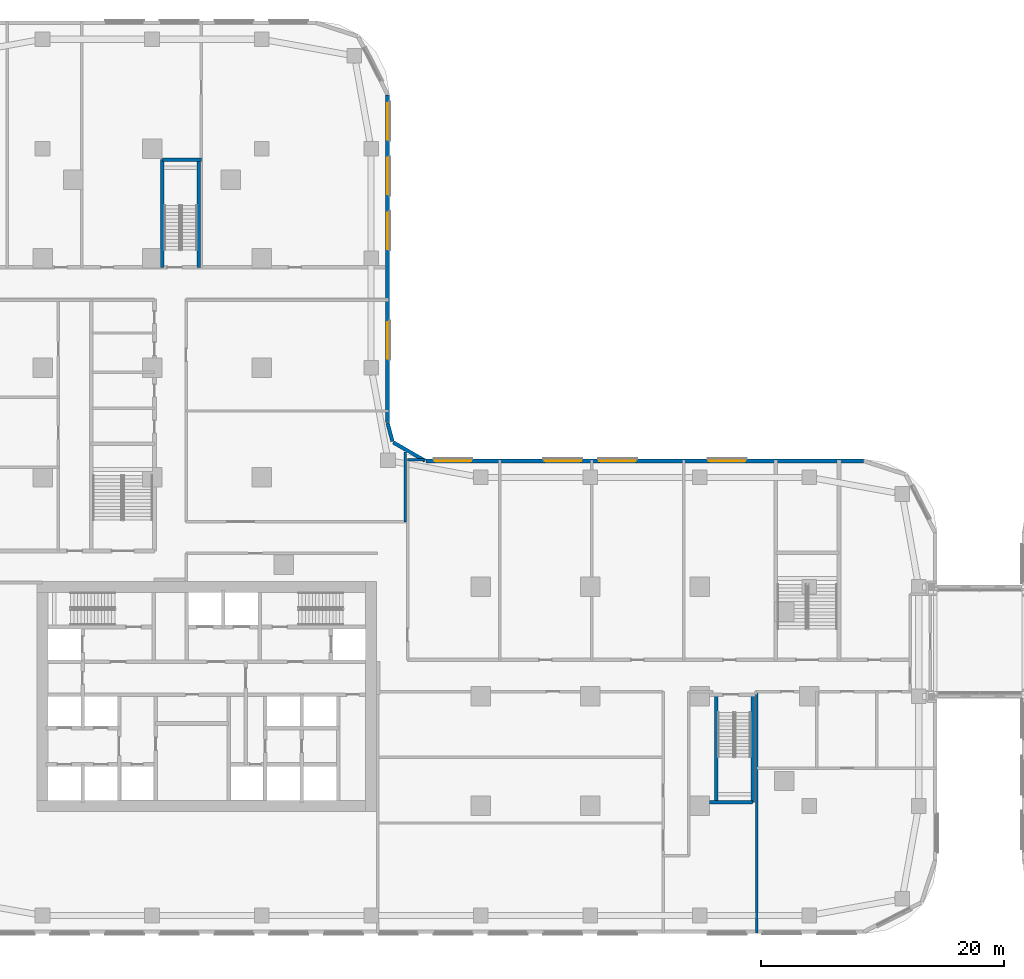
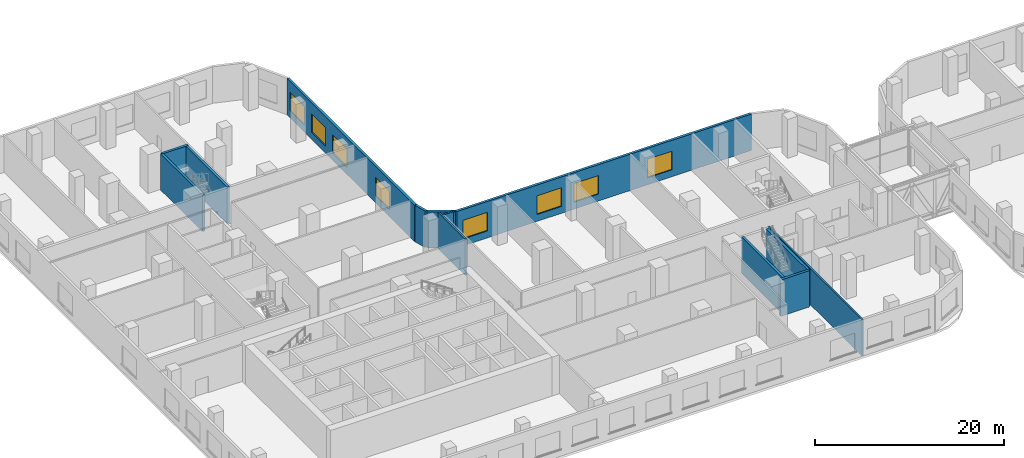
# One storey, part 10 of 35: 13 walls, 8 windows, 8 openings.
"""IFC4 building model written with IfcOpenShell, lengths in metres."""

from ifc_helpers import new_model, si_unit, direction, frame, frame_2d, origin, place, context, subcontext, project, spatial, rectangle, extrude, material, layer, layer_set, type_object, element, fill, save


model = new_model("IFC4")

# Units and contexts
model_context = context("Model", 3, precision=1e-05, world=origin(), true_north=direction((0.0, 1.0)))
body_context = subcontext(model_context, "Body", "Model", "MODEL_VIEW")
ifc_project = project(units=[si_unit("LENGTHUNIT", "METRE"), si_unit("AREAUNIT", "SQUARE_METRE"), si_unit("VOLUMEUNIT", "CUBIC_METRE"), si_unit("PLANEANGLEUNIT", "RADIAN"), si_unit("MASSUNIT", "GRAM", prefix="KILO")], contexts=[model_context])

# Site, building, storey
site_placement = place(None, origin())
site = spatial("IfcSite", under=ifc_project, at=site_placement, CompositionType="ELEMENT")
building_placement = place(site_placement, origin())
building = spatial("IfcBuilding", under=site, at=building_placement, Name="Ogive Portal Towers", CompositionType="ELEMENT")
storey_placement = place(building_placement, frame((0.0, 0.0, 18.5)))
storey = spatial("IfcBuildingStorey", under=building, at=storey_placement, Name="L03", CompositionType="ELEMENT", Elevation=18.5)

# Wall, openings, windows
ifc_material_1 = material(Name="Limestone cladding on lightweight block wall", Category="masonry")
ifc_layer_1 = layer(ifc_material_1, 0.300048828125)
ifc_layer_set_1 = layer_set([ifc_layer_1], Name="EXTERNAL WALL 300 STONE")
wall_type_1 = type_object("IfcWallType", Name="EXTERNAL WALL 300 STONE", PredefinedType="SOLIDWALL", material=ifc_layer_set_1)
wall_1_placement = place(storey_placement, frame((98.952392578125, 49.85009765625, 0.0), z_axis=(0.0, 0.0, 1.0), x_axis=(-1.0, 0.0, 0.0)))
wall_1 = element("IfcWall", 1, at=wall_1_placement, inside=storey, type_object=wall_type_1, Name="A:L03:f08:w0", PredefinedType="SOLIDWALL", context=body_context, shape_type="SweptSolid", body=[
    extrude(rectangle(XDim=35.952392578125, YDim=0.300048828125, at=frame_2d((17.97607421875, 0.0))), origin(), (0.0, 0.0, 1.0), 4.699951171875),
])
opening_1_placement = place(wall_1_placement, frame((9.702392578125, 0.0, 0.89990234375)))
opening_1 = element("IfcOpeningElement", 2, at=opening_1_placement, cuts=wall_1, Name="Opening WN3", PredefinedType="OPENING", context=body_context, shape_type="SweptSolid", body=[
    extrude(rectangle(XDim=3.0, YDim=2.39990234375, at=frame_2d((1.5, 1.199951171875))), frame((0.0, 0.16015625, 0.0), z_axis=(0.0, -1.0, 0.0), x_axis=(1.0, 0.0, 0.0)), (0.0, 0.0, 1.0), 0.320068359375),
])
opening_2_placement = place(wall_1_placement, frame((18.702392578125, 0.0, 0.89990234375)))
opening_2 = element("IfcOpeningElement", 3, at=opening_2_placement, cuts=wall_1, Name="Opening WN3", PredefinedType="OPENING", context=body_context, shape_type="SweptSolid", body=[
    extrude(rectangle(XDim=3.0, YDim=2.39990234375, at=frame_2d((1.5, 1.199951171875))), frame((0.0, 0.16015625, 0.0), z_axis=(0.0, -1.0, 0.0), x_axis=(1.0, 0.0, 0.0)), (0.0, 0.0, 1.0), 0.320068359375),
])
opening_3_placement = place(wall_1_placement, frame((23.202392578125, 0.0, 0.89990234375)))
opening_3 = element("IfcOpeningElement", 4, at=opening_3_placement, cuts=wall_1, Name="Opening WN3", PredefinedType="OPENING", context=body_context, shape_type="SweptSolid", body=[
    extrude(rectangle(XDim=3.0, YDim=2.39990234375, at=frame_2d((1.5, 1.199951171875))), frame((0.0, 0.16015625, 0.0), z_axis=(0.0, -1.0, 0.0), x_axis=(1.0, 0.0, 0.0)), (0.0, 0.0, 1.0), 0.320068359375),
])
opening_4_placement = place(wall_1_placement, frame((32.226318359375, 0.0, 0.89990234375)))
opening_4 = element("IfcOpeningElement", 5, at=opening_4_placement, cuts=wall_1, Name="Opening WN3", PredefinedType="OPENING", context=body_context, shape_type="SweptSolid", body=[
    extrude(rectangle(XDim=3.0, YDim=2.39990234375, at=frame_2d((1.5, 1.199951171875))), frame((0.0, 0.16015625, 0.0), z_axis=(0.0, -1.0, 0.0), x_axis=(1.0, 0.0, 0.0)), (0.0, 0.0, 1.0), 0.320068359375),
])
ifc_material_2 = material(Name="Glass, clear low-iron insulated glazing", Category="glass")
window_type = type_object("IfcWindowType", Name="WINDOW PODIUM 3000x2400", PartitioningType="SINGLE_PANEL", PredefinedType="WINDOW", material=ifc_material_2)
window_1_placement = place(opening_1_placement, origin())
window_1 = element("IfcWindow", 6, at=window_1_placement, inside=storey, type_object=window_type, Name="A:L03:f08:w0:o1b", OverallHeight=2.39990234375, OverallWidth=3.0, PartitioningType="SINGLE_PANEL", PredefinedType="WINDOW", context=body_context, shape_type="SweptSolid", body=[
    extrude(rectangle(XDim=3.0, YDim=2.39990234375, at=frame_2d((1.5, 1.199951171875))), frame((0.0, 0.030029296875, 0.0), z_axis=(0.0, -1.0, 0.0), x_axis=(1.0, 0.0, 0.0)), (0.0, 0.0, 1.0), 0.06005859375),
])
fill(opening_1, window_1)
window_2_placement = place(opening_2_placement, origin())
window_2 = element("IfcWindow", 7, at=window_2_placement, inside=storey, type_object=window_type, Name="A:L03:f08:w0:o2b", OverallHeight=2.39990234375, OverallWidth=3.0, PartitioningType="SINGLE_PANEL", PredefinedType="WINDOW", context=body_context, shape_type="SweptSolid", body=[
    extrude(rectangle(XDim=3.0, YDim=2.39990234375, at=frame_2d((1.5, 1.199951171875))), frame((0.0, 0.030029296875, 0.0), z_axis=(0.0, -1.0, 0.0), x_axis=(1.0, 0.0, 0.0)), (0.0, 0.0, 1.0), 0.06005859375),
])
fill(opening_2, window_2)
window_3_placement = place(opening_3_placement, origin())
window_3 = element("IfcWindow", 8, at=window_3_placement, inside=storey, type_object=window_type, Name="A:L03:f08:w0:o3a", OverallHeight=2.39990234375, OverallWidth=3.0, PartitioningType="SINGLE_PANEL", PredefinedType="WINDOW", context=body_context, shape_type="SweptSolid", body=[
    extrude(rectangle(XDim=3.0, YDim=2.39990234375, at=frame_2d((1.5, 1.199951171875))), frame((0.0, 0.030029296875, 0.0), z_axis=(0.0, -1.0, 0.0), x_axis=(1.0, 0.0, 0.0)), (0.0, 0.0, 1.0), 0.06005859375),
])
fill(opening_3, window_3)
window_4_placement = place(opening_4_placement, origin())
window_4 = element("IfcWindow", 9, at=window_4_placement, inside=storey, type_object=window_type, Name="A:L03:f08:w0:o4", OverallHeight=2.39990234375, OverallWidth=3.0, PartitioningType="SINGLE_PANEL", PredefinedType="WINDOW", context=body_context, shape_type="SweptSolid", body=[
    extrude(rectangle(XDim=3.0, YDim=2.39990234375, at=frame_2d((1.5, 1.199951171875))), frame((0.0, 0.030029296875, 0.0), z_axis=(0.0, -1.0, 0.0), x_axis=(1.0, 0.0, 0.0)), (0.0, 0.0, 1.0), 0.06005859375),
])
fill(opening_4, window_4)

# Walls
wall_2_placement = place(storey_placement, frame((62.925048828125, 49.8701171875, 0.0), z_axis=(0.0, 0.0, 1.0), x_axis=(-0.866031096941, 0.499990139034, 0.0)))
element("IfcWall", 10, at=wall_2_placement, inside=storey, type_object=wall_type_1, Name="A:L03:f09:w0", PredefinedType="SOLIDWALL", context=body_context, shape_type="SweptSolid", body=[
    extrude(rectangle(XDim=3.0, YDim=0.300048828125, at=frame_2d((1.5, 0.0))), origin(), (0.0, 0.0, 1.0), 4.699951171875),
])
wall_3_placement = place(storey_placement, frame((60.257080078125, 51.461181640625, 0.0), z_axis=(0.0, 0.0, 1.0), x_axis=(-0.258777996848, 0.965936824201, 0.0)))
element("IfcWall", 11, at=wall_3_placement, inside=storey, type_object=wall_type_1, Name="A:L03:f10:w0", PredefinedType="SOLIDWALL", context=body_context, shape_type="SweptSolid", body=[
    extrude(rectangle(XDim=1.552978515625, YDim=0.300048828125, at=frame_2d((0.7763671875, 0.0))), origin(), (0.0, 0.0, 1.0), 4.699951171875),
])

# Wall, openings, windows
wall_4_placement = place(storey_placement, frame((59.85009765625, 53.0, 0.0), z_axis=(0.0, 0.0, 1.0), x_axis=(0.0, 1.0, 0.0)))
wall_4 = element("IfcWall", 12, at=wall_4_placement, inside=storey, type_object=wall_type_1, Name="A:L03:f11:w0", PredefinedType="SOLIDWALL", context=body_context, shape_type="SweptSolid", body=[
    extrude(rectangle(XDim=26.927978515625, YDim=0.300048828125, at=frame_2d((13.4638671875, 0.0))), origin(), (0.0, 0.0, 1.0), 4.699951171875),
])
opening_5_placement = place(wall_4_placement, frame((5.25, 0.0, 0.89990234375)))
opening_5 = element("IfcOpeningElement", 13, at=opening_5_placement, cuts=wall_4, Name="Opening WN3", PredefinedType="OPENING", context=body_context, shape_type="SweptSolid", body=[
    extrude(rectangle(XDim=3.0, YDim=2.39990234375, at=frame_2d((1.5, 1.199951171875))), frame((0.0, 0.16015625, 0.0), z_axis=(0.0, -1.0, 0.0), x_axis=(1.0, 0.0, 0.0)), (0.0, 0.0, 1.0), 0.320068359375),
])
opening_6_placement = place(wall_4_placement, frame((14.25, 0.0, 0.89990234375)))
opening_6 = element("IfcOpeningElement", 14, at=opening_6_placement, cuts=wall_4, Name="Opening WN3", PredefinedType="OPENING", context=body_context, shape_type="SweptSolid", body=[
    extrude(rectangle(XDim=3.0, YDim=2.39990234375, at=frame_2d((1.5, 1.199951171875))), frame((0.0, 0.16015625, 0.0), z_axis=(0.0, -1.0, 0.0), x_axis=(1.0, 0.0, 0.0)), (0.0, 0.0, 1.0), 0.320068359375),
])
opening_7_placement = place(wall_4_placement, frame((18.75, 0.0, 0.89990234375)))
opening_7 = element("IfcOpeningElement", 15, at=opening_7_placement, cuts=wall_4, Name="Opening WN3", PredefinedType="OPENING", context=body_context, shape_type="SweptSolid", body=[
    extrude(rectangle(XDim=3.0, YDim=2.39990234375, at=frame_2d((1.5, 1.199951171875))), frame((0.0, 0.16015625, 0.0), z_axis=(0.0, -1.0, 0.0), x_axis=(1.0, 0.0, 0.0)), (0.0, 0.0, 1.0), 0.320068359375),
])
opening_8_placement = place(wall_4_placement, frame((23.25, 0.0, 0.89990234375)))
opening_8 = element("IfcOpeningElement", 16, at=opening_8_placement, cuts=wall_4, Name="Opening WN3", PredefinedType="OPENING", context=body_context, shape_type="SweptSolid", body=[
    extrude(rectangle(XDim=3.0, YDim=2.39990234375, at=frame_2d((1.5, 1.199951171875))), frame((0.0, 0.16015625, 0.0), z_axis=(0.0, -1.0, 0.0), x_axis=(1.0, 0.0, 0.0)), (0.0, 0.0, 1.0), 0.320068359375),
])
window_5_placement = place(opening_5_placement, origin())
window_5 = element("IfcWindow", 17, at=window_5_placement, inside=storey, type_object=window_type, Name="A:L03:f11:w0:o1a", OverallHeight=2.39990234375, OverallWidth=3.0, PartitioningType="SINGLE_PANEL", PredefinedType="WINDOW", context=body_context, shape_type="SweptSolid", body=[
    extrude(rectangle(XDim=3.0, YDim=2.39990234375, at=frame_2d((1.5, 1.199951171875))), frame((0.0, 0.030029296875, 0.0), z_axis=(0.0, -1.0, 0.0), x_axis=(1.0, 0.0, 0.0)), (0.0, 0.0, 1.0), 0.06005859375),
])
fill(opening_5, window_5)
window_6_placement = place(opening_6_placement, origin())
window_6 = element("IfcWindow", 18, at=window_6_placement, inside=storey, type_object=window_type, Name="A:L03:f11:w0:o2a", OverallHeight=2.39990234375, OverallWidth=3.0, PartitioningType="SINGLE_PANEL", PredefinedType="WINDOW", context=body_context, shape_type="SweptSolid", body=[
    extrude(rectangle(XDim=3.0, YDim=2.39990234375, at=frame_2d((1.5, 1.199951171875))), frame((0.0, 0.030029296875, 0.0), z_axis=(0.0, -1.0, 0.0), x_axis=(1.0, 0.0, 0.0)), (0.0, 0.0, 1.0), 0.06005859375),
])
fill(opening_6, window_6)
window_7_placement = place(opening_7_placement, origin())
window_7 = element("IfcWindow", 19, at=window_7_placement, inside=storey, type_object=window_type, Name="A:L03:f11:w0:o2b", OverallHeight=2.39990234375, OverallWidth=3.0, PartitioningType="SINGLE_PANEL", PredefinedType="WINDOW", context=body_context, shape_type="SweptSolid", body=[
    extrude(rectangle(XDim=3.0, YDim=2.39990234375, at=frame_2d((1.5, 1.199951171875))), frame((0.0, 0.030029296875, 0.0), z_axis=(0.0, -1.0, 0.0), x_axis=(1.0, 0.0, 0.0)), (0.0, 0.0, 1.0), 0.06005859375),
])
fill(opening_7, window_7)
window_8_placement = place(opening_8_placement, origin())
window_8 = element("IfcWindow", 20, at=window_8_placement, inside=storey, type_object=window_type, Name="A:L03:f11:w0:o3", OverallHeight=2.39990234375, OverallWidth=3.0, PartitioningType="SINGLE_PANEL", PredefinedType="WINDOW", context=body_context, shape_type="SweptSolid", body=[
    extrude(rectangle(XDim=3.0, YDim=2.39990234375, at=frame_2d((1.5, 1.199951171875))), frame((0.0, 0.030029296875, 0.0), z_axis=(0.0, -1.0, 0.0), x_axis=(1.0, 0.0, 0.0)), (0.0, 0.0, 1.0), 0.06005859375),
])
fill(opening_8, window_8)

# Walls
ifc_material_3 = material(Name="Concrete C50/60", Category="concrete")
ifc_layer_2 = layer(ifc_material_3, 0.300048828125)
ifc_layer_set_2 = layer_set([ifc_layer_2], Name="STAIR WALL 300 C50")
wall_type_2 = type_object("IfcWallType", Name="STAIR WALL 300 C50", PredefinedType="SHEAR", material=ifc_layer_set_2)
wall_5_placement = place(storey_placement, frame((86.300048828125, 21.800048828125, 0.0), z_axis=(0.0, 0.0, 1.0), x_axis=(1.0, 0.0, 0.0)))
element("IfcWall", 21, at=wall_5_placement, inside=storey, type_object=wall_type_2, Name="Stair wall ST-A4 L03", PredefinedType="SHEAR", context=body_context, shape_type="SweptSolid", body=[
    extrude(rectangle(XDim=3.550048828125, YDim=0.300048828125, at=frame_2d((1.77490234375, 0.0))), origin(), (0.0, 0.0, 1.0), 4.699951171875),
])
wall_6_placement = place(storey_placement, frame((41.35009765625, 74.60009765625, 0.0), z_axis=(0.0, 0.0, 1.0), x_axis=(1.0, 0.0, 0.0)))
element("IfcWall", 22, at=wall_6_placement, inside=storey, type_object=wall_type_2, Name="Stair wall ST-A3 L03", PredefinedType="SHEAR", context=body_context, shape_type="SweptSolid", body=[
    extrude(rectangle(XDim=3.199951171875, YDim=0.300048828125, at=frame_2d((1.60009765625, 0.0))), origin(), (0.0, 0.0, 1.0), 4.699951171875),
])
for number, where, z_axis, x_axis, name in (
    (23, (41.35009765625, 65.75, 0.0), (0.0, 0.0, 1.0), (0.0, 1.0, 0.0), "Stair wall ST-A3 L03"),
    (24, (44.35009765625, 65.75, 0.0), (0.0, 0.0, 1.0), (0.0, 1.0, 0.0), "Stair wall ST-A3 L03"),
):
    element("IfcWall", number, at=place(storey_placement, frame(where, z_axis=z_axis, x_axis=x_axis)), inside=storey, type_object=wall_type_2, Name=name, PredefinedType="SHEAR", context=body_context, shape_type="SweptSolid", body=[
        extrude(rectangle(XDim=8.85009765625, YDim=0.300048828125, at=frame_2d((4.425048828125, 0.0))), origin(), (0.0, 0.0, 1.0), 4.699951171875),
    ])
for number, where, z_axis, x_axis, name in (
    (25, (86.85009765625, 21.800048828125, 0.0), (0.0, 0.0, 1.0), (0.0, 1.0, 0.0), "Stair wall ST-A4 L03"),
    (26, (89.85009765625, 21.800048828125, 0.0), (0.0, 0.0, 1.0), (0.0, 1.0, 0.0), "Stair wall ST-A4 L03"),
):
    element("IfcWall", number, at=place(storey_placement, frame(where, z_axis=z_axis, x_axis=x_axis)), inside=storey, type_object=wall_type_2, Name=name, PredefinedType="SHEAR", context=body_context, shape_type="SweptSolid", body=[
        extrude(rectangle(XDim=8.849853515625, YDim=0.300048828125, at=frame_2d((4.4248046875, 0.0))), origin(), (0.0, 0.0, 1.0), 4.699951171875),
    ])
ifc_material_4 = material(Name="Gypsum board partition on steel studs", Category="steel")
ifc_layer_3 = layer(ifc_material_4, 0.199951171875)
ifc_layer_set_3 = layer_set([ifc_layer_3], Name="WT-PART-200-EI 60")
wall_type_3 = type_object("IfcWallType", Name="WT-PART-200-EI 60", PredefinedType="PARTITIONING", material=ifc_layer_set_3)
wall_7_placement = place(storey_placement, frame((61.5, 49.949951171875, 0.0), z_axis=(0.0, 0.0, 1.0), x_axis=(1.0, 0.0, 0.0)))
element("IfcWall", 27, at=wall_7_placement, inside=storey, type_object=wall_type_3, Name="Wall L03:w043", PredefinedType="PARTITIONING", context=body_context, shape_type="SweptSolid", body=[
    extrude(rectangle(XDim=1.416015625, YDim=0.199951171875, at=frame_2d((0.7080078125, 0.0))), origin(), (0.0, 0.0, 1.0), 4.699951171875),
])
wall_8_placement = place(storey_placement, frame((61.300048828125, 44.85009765625, 0.0), z_axis=(0.0, 0.0, 1.0), x_axis=(0.0, 1.0, 0.0)))
element("IfcWall", 28, at=wall_8_placement, inside=storey, type_object=wall_type_3, Name="Wall L03:w095", PredefinedType="PARTITIONING", context=body_context, shape_type="SweptSolid", body=[
    extrude(rectangle(XDim=5.741943359375, YDim=0.199951171875, at=frame_2d((2.87109375, 0.0))), origin(), (0.0, 0.0, 1.0), 4.699951171875),
])
wall_9_placement = place(storey_placement, frame((90.199951171875, 11.070068359375, 0.0), z_axis=(0.0, 0.0, 1.0), x_axis=(0.0, 1.0, 0.0)))
element("IfcWall", 29, at=wall_9_placement, inside=storey, type_object=wall_type_3, Name="Wall L03:w106", PredefinedType="PARTITIONING", context=body_context, shape_type="SweptSolid", body=[
    extrude(rectangle(XDim=19.829833984375, YDim=0.199951171875, at=frame_2d((9.9150390625, 0.0))), origin(), (0.0, 0.0, 1.0), 4.699951171875),
])

save(model, "model.ifc")
